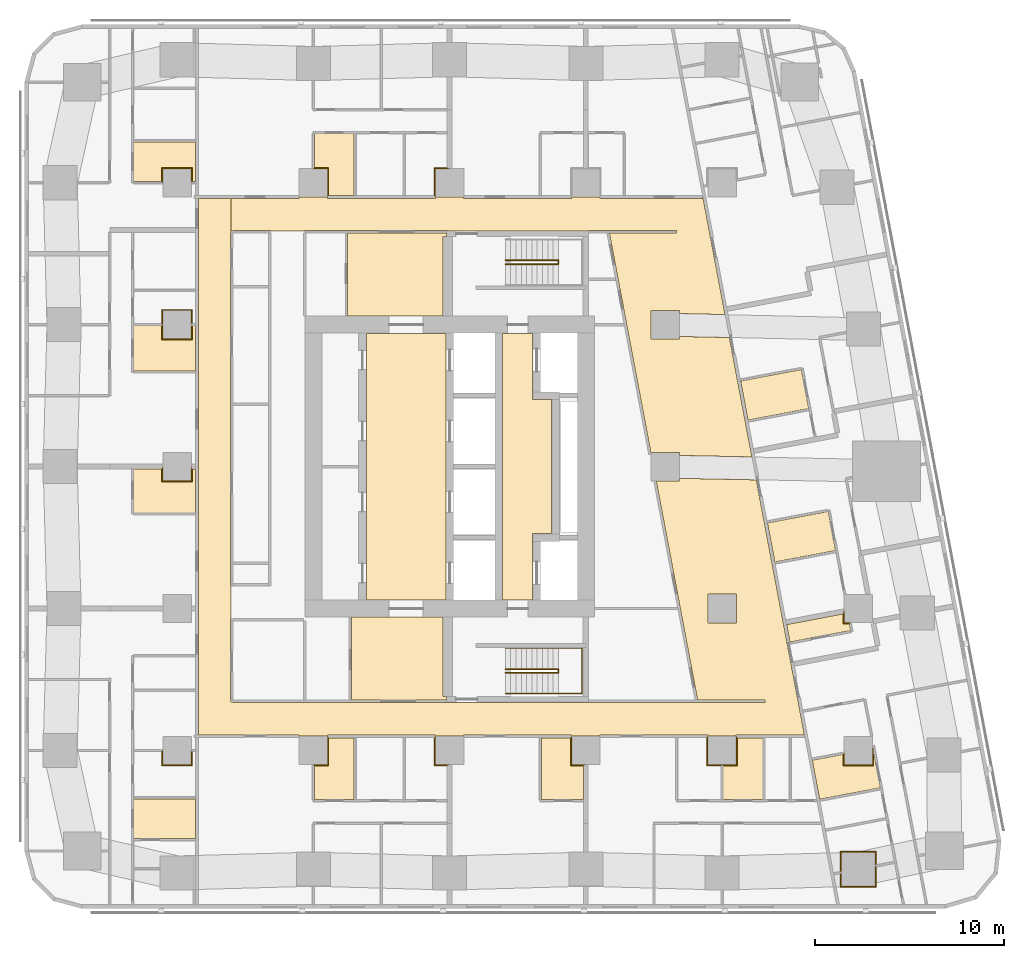
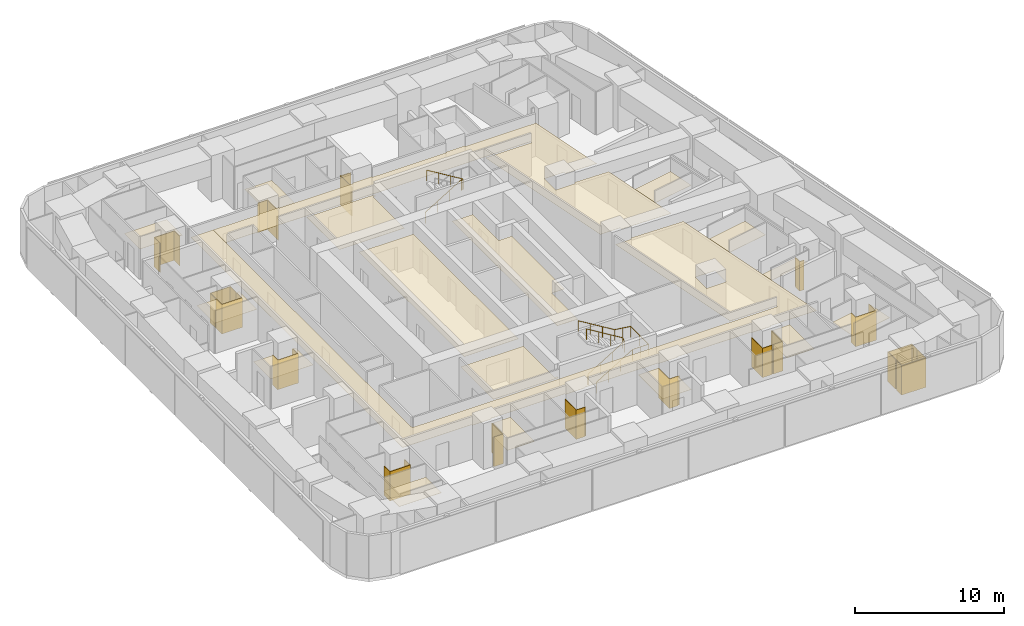
# One storey, part 14 of 15: 34 coverings, 3 railings.
"""IFC4 building model written with IfcOpenShell, lengths in metres."""

from ifc_helpers import new_model, si_unit, direction, frame, origin, origin_2d, place, context, subcontext, project, spatial, polyline, circle, outline, extrude, material, layer, layer_set, type_object, element, save


model = new_model("IFC4")

# Units and contexts
model_context = context("Model", 3, precision=1e-05, world=origin(), true_north=direction((0.0, 1.0)))
body_context = subcontext(model_context, "Body", "Model", "MODEL_VIEW")
ifc_project = project(units=[si_unit("LENGTHUNIT", "METRE"), si_unit("AREAUNIT", "SQUARE_METRE"), si_unit("VOLUMEUNIT", "CUBIC_METRE"), si_unit("PLANEANGLEUNIT", "RADIAN"), si_unit("MASSUNIT", "GRAM", prefix="KILO")], contexts=[model_context])

# Site, building, storey
site_placement = place(None, origin())
site = spatial("IfcSite", under=ifc_project, at=site_placement, CompositionType="ELEMENT")
building_placement = place(site_placement, origin())
building = spatial("IfcBuilding", under=site, at=building_placement, Name="Sheger Commons Tower", CompositionType="ELEMENT")
storey_placement = place(building_placement, frame((0.0, 0.0, 173.300048828125)))
storey = spatial("IfcBuildingStorey", under=building, at=storey_placement, Name="L44", CompositionType="ELEMENT", Elevation=173.300048828125)

# Railings
ifc_material_1 = material(Name="Steel handrail, black powder-coated", Category="steel")
railing_type = type_object("IfcRailingType", Name="HANDRAIL 900", PredefinedType="HANDRAIL", material=ifc_material_1)
railing_1_placement = place(storey_placement, frame((24.550048828125, 11.60009765625, 0.17041015625)))
element("IfcRailing", 1, at=railing_1_placement, inside=storey, type_object=railing_type, Name="Stair S1 handrail L44", PredefinedType="HANDRAIL", context=body_context, shape_type="SweptSolid", body=[
    extrude(circle(Radius=0.02392578125, at=origin_2d()), frame((0.0, 0.0, 0.8759765625), z_axis=(0.854169791009, 0.0, 0.51999420009), x_axis=(0.0, 1.0, 0.0)), (0.0, 0.0, 1.0), 3.278076171875),
    extrude(circle(Radius=0.02392578125, at=origin_2d()), frame((2.800048828125, 0.0, 2.58056640625), z_axis=(0.0, 0.761090297175, 0.648645943136), x_axis=(-1.0, 0.0, 0.0)), (0.0, 0.0, 1.0), 0.2626953125),
    extrude(circle(Radius=0.02392578125, at=origin_2d()), frame((2.800048828125, 0.199951171875, 2.7509765625), z_axis=(-0.854169791009, 0.0, 0.51999420009), x_axis=(0.0, -1.0, 0.0)), (0.0, 0.0, 1.0), 3.278076171875),
    extrude(circle(Radius=0.02099609375, at=origin_2d()), origin(), (0.0, 0.0, 1.0), 0.851806640625),
    extrude(circle(Radius=0.02099609375, at=origin_2d()), frame((0.933349609375, 0.0, 0.568115234375)), (0.0, 0.0, 1.0), 0.851806640625),
    extrude(circle(Radius=0.02099609375, at=origin_2d()), frame((1.86669921875, 0.0, 1.136474609375)), (0.0, 0.0, 1.0), 0.851806640625),
    extrude(circle(Radius=0.02099609375, at=origin_2d()), frame((2.800048828125, 0.0, 1.70458984375)), (0.0, 0.0, 1.0), 0.851806640625),
    extrude(circle(Radius=0.02099609375, at=origin_2d()), frame((2.800048828125, 0.199951171875, 1.875)), (0.0, 0.0, 1.0), 0.851806640625),
    extrude(circle(Radius=0.02099609375, at=origin_2d()), frame((1.86669921875, 0.199951171875, 2.443115234375)), (0.0, 0.0, 1.0), 0.851806640625),
    extrude(circle(Radius=0.02099609375, at=origin_2d()), frame((0.933349609375, 0.199951171875, 3.011474609375)), (0.0, 0.0, 1.0), 0.851806640625),
    extrude(circle(Radius=0.02099609375, at=origin_2d()), frame((0.0, 0.199951171875, 3.57958984375)), (0.0, 0.0, 1.0), 0.851806640625),
])
railing_2_placement = place(storey_placement, frame((24.550048828125, 10.5, 0.17041015625)))
element("IfcRailing", 2, at=railing_2_placement, inside=storey, type_object=railing_type, Name="Stair S1 handrail L44", PredefinedType="HANDRAIL", context=body_context, shape_type="SweptSolid", body=[
    extrude(circle(Radius=0.02392578125, at=origin_2d()), frame((0.0, 0.0, 0.8759765625), z_axis=(0.854169791009, 0.0, 0.51999420009), x_axis=(0.0, 1.0, 0.0)), (0.0, 0.0, 1.0), 3.278076171875),
    extrude(circle(Radius=0.02392578125, at=origin_2d()), frame((2.800048828125, 0.0, 2.58056640625), z_axis=(1.0, 0.0, 0.0), x_axis=(0.0, 1.0, 0.0)), (0.0, 0.0, 1.0), 1.25),
    extrude(circle(Radius=0.02392578125, at=origin_2d()), frame((4.050048828125, 0.0, 2.58056640625), z_axis=(0.0, 1.0, 0.0), x_axis=(-1.0, 0.0, 0.0)), (0.0, 0.0, 1.0), 2.39990234375),
    extrude(circle(Radius=0.02392578125, at=origin_2d()), frame((4.050048828125, 2.39990234375, 2.58056640625), z_axis=(-0.990834877927, 0.0, 0.135078661092), x_axis=(0.0, -1.0, 0.0)), (0.0, 0.0, 1.0), 1.261474609375),
    extrude(circle(Radius=0.02392578125, at=origin_2d()), frame((2.800048828125, 2.39990234375, 2.7509765625), z_axis=(-0.854169791009, 0.0, 0.51999420009), x_axis=(0.0, -1.0, 0.0)), (0.0, 0.0, 1.0), 3.278076171875),
    extrude(circle(Radius=0.02099609375, at=origin_2d()), origin(), (0.0, 0.0, 1.0), 0.851806640625),
    extrude(circle(Radius=0.02099609375, at=origin_2d()), frame((0.933349609375, 0.0, 0.568115234375)), (0.0, 0.0, 1.0), 0.851806640625),
    extrude(circle(Radius=0.02099609375, at=origin_2d()), frame((1.86669921875, 0.0, 1.136474609375)), (0.0, 0.0, 1.0), 0.851806640625),
    extrude(circle(Radius=0.02099609375, at=origin_2d()), frame((2.800048828125, 0.0, 1.70458984375)), (0.0, 0.0, 1.0), 0.851806640625),
    extrude(circle(Radius=0.02099609375, at=origin_2d()), frame((3.425048828125, 0.0, 1.70458984375)), (0.0, 0.0, 1.0), 0.851806640625),
    extrude(circle(Radius=0.02099609375, at=origin_2d()), frame((4.050048828125, 0.0, 1.70458984375)), (0.0, 0.0, 1.0), 0.851806640625),
    extrude(circle(Radius=0.02099609375, at=origin_2d()), frame((4.050048828125, 1.199951171875, 1.70458984375)), (0.0, 0.0, 1.0), 0.851806640625),
    extrude(circle(Radius=0.02099609375, at=origin_2d()), frame((4.050048828125, 2.39990234375, 1.70458984375)), (0.0, 0.0, 1.0), 0.851806640625),
    extrude(circle(Radius=0.02099609375, at=origin_2d()), frame((3.425048828125, 2.39990234375, 1.789794921875)), (0.0, 0.0, 1.0), 0.851806640625),
    extrude(circle(Radius=0.02099609375, at=origin_2d()), frame((2.800048828125, 2.39990234375, 1.875)), (0.0, 0.0, 1.0), 0.851806640625),
    extrude(circle(Radius=0.02099609375, at=origin_2d()), frame((1.86669921875, 2.39990234375, 2.443115234375)), (0.0, 0.0, 1.0), 0.851806640625),
    extrude(circle(Radius=0.02099609375, at=origin_2d()), frame((0.933349609375, 2.39990234375, 3.011474609375)), (0.0, 0.0, 1.0), 0.851806640625),
    extrude(circle(Radius=0.02099609375, at=origin_2d()), frame((0.0, 2.39990234375, 3.57958984375)), (0.0, 0.0, 1.0), 0.851806640625),
])
railing_3_placement = place(storey_placement, frame((24.550048828125, 33.39990234375, 0.17041015625)))
element("IfcRailing", 3, at=railing_3_placement, inside=storey, type_object=railing_type, Name="Stair S2 handrail L44", PredefinedType="HANDRAIL", context=body_context, shape_type="SweptSolid", body=[
    extrude(circle(Radius=0.02392578125, at=origin_2d()), frame((0.0, 0.0, 0.8759765625), z_axis=(0.854169791009, 0.0, 0.51999420009), x_axis=(0.0, 1.0, 0.0)), (0.0, 0.0, 1.0), 3.278076171875),
    extrude(circle(Radius=0.02392578125, at=origin_2d()), frame((2.800048828125, 0.0, 2.58056640625), z_axis=(0.0, -0.761090297175, 0.648645943136), x_axis=(1.0, 0.0, 0.0)), (0.0, 0.0, 1.0), 0.2626953125),
    extrude(circle(Radius=0.02392578125, at=origin_2d()), frame((2.800048828125, -0.199951171875, 2.7509765625), z_axis=(-0.854169791009, 0.0, 0.51999420009), x_axis=(0.0, -1.0, 0.0)), (0.0, 0.0, 1.0), 3.278076171875),
    extrude(circle(Radius=0.02099609375, at=origin_2d()), origin(), (0.0, 0.0, 1.0), 0.851806640625),
    extrude(circle(Radius=0.02099609375, at=origin_2d()), frame((0.933349609375, 0.0, 0.568115234375)), (0.0, 0.0, 1.0), 0.851806640625),
    extrude(circle(Radius=0.02099609375, at=origin_2d()), frame((1.86669921875, 0.0, 1.136474609375)), (0.0, 0.0, 1.0), 0.851806640625),
    extrude(circle(Radius=0.02099609375, at=origin_2d()), frame((2.800048828125, 0.0, 1.70458984375)), (0.0, 0.0, 1.0), 0.851806640625),
    extrude(circle(Radius=0.02099609375, at=origin_2d()), frame((2.800048828125, -0.199951171875, 1.875)), (0.0, 0.0, 1.0), 0.851806640625),
    extrude(circle(Radius=0.02099609375, at=origin_2d()), frame((1.86669921875, -0.199951171875, 2.443115234375)), (0.0, 0.0, 1.0), 0.851806640625),
    extrude(circle(Radius=0.02099609375, at=origin_2d()), frame((0.933349609375, -0.199951171875, 3.011474609375)), (0.0, 0.0, 1.0), 0.851806640625),
    extrude(circle(Radius=0.02099609375, at=origin_2d()), frame((0.0, -0.199951171875, 3.57958984375)), (0.0, 0.0, 1.0), 0.851806640625),
])

# Coverings
ifc_material_2 = material(Name="Moisture-resistant gypsum plasterboard 15 mm on a suspended galvanised steel grid", Category="steel")
ifc_layer_1 = layer(ifc_material_2, 0.014892578125)
ifc_layer_set_1 = layer_set([ifc_layer_1], Name="MOISTURE-RESISTANT CEILING 15")
covering_type_1 = type_object("IfcCoveringType", Name="MOISTURE-RESISTANT CEILING 15", PredefinedType="CEILING", material=ifc_layer_set_1)
covering_1_placement = place(storey_placement, frame((0.0, 0.0, 2.39990234375)))
element("IfcCovering", 4, at=covering_1_placement, inside=storey, type_object=covering_type_1, Name="L44-01.B3 ceiling", PredefinedType="CEILING", context=body_context, shape_type="SweptSolid", body=[
    extrude(outline(polyline([(4.905029296875, 2.843994140625), (8.169921875, 2.843994140625), (8.169921875, 4.944091796875), (4.905029296875, 4.944091796875), (4.905029296875, 2.843994140625)])), origin(), (0.0, 0.0, 1.0), 0.01513671875),
])
covering_2_placement = place(storey_placement, frame((0.0, 0.0, 2.39990234375)))
element("IfcCovering", 5, at=covering_2_placement, inside=storey, type_object=covering_type_1, Name="L44-02.B1 ceiling", PredefinedType="CEILING", context=body_context, shape_type="SweptSolid", body=[
    extrude(outline(polyline([(4.905029296875, 20.053955078125), (8.169921875, 20.053955078125), (8.169921875, 22.3701171875), (7.955078125, 22.3701171875), (7.955078125, 21.7451171875), (6.445068359375, 21.7451171875), (6.445068359375, 22.3701171875), (4.905029296875, 22.3701171875), (4.905029296875, 20.053955078125)])), origin(), (0.0, 0.0, 1.0), 0.01513671875),
])
covering_3_placement = place(storey_placement, frame((0.0, 0.0, 2.39990234375)))
element("IfcCovering", 6, at=covering_3_placement, inside=storey, type_object=covering_type_1, Name="L44-03.B1 ceiling", PredefinedType="CEILING", context=body_context, shape_type="SweptSolid", body=[
    extrude(outline(polyline([(4.905029296875, 27.553955078125), (8.169921875, 27.553955078125), (8.169921875, 29.945068359375), (7.955078125, 29.945068359375), (7.955078125, 29.2451171875), (6.445068359375, 29.2451171875), (6.445068359375, 29.945068359375), (4.905029296875, 29.945068359375), (4.905029296875, 27.553955078125)])), origin(), (0.0, 0.0, 1.0), 0.01513671875),
])
covering_4_placement = place(storey_placement, frame((0.0, 0.0, 2.39990234375)))
element("IfcCovering", 7, at=covering_4_placement, inside=storey, type_object=covering_type_1, Name="L44-04.B1 ceiling", PredefinedType="CEILING", context=body_context, shape_type="SweptSolid", body=[
    extrude(outline(polyline([(4.905029296875, 37.554931640625), (6.445068359375, 37.554931640625), (6.445068359375, 38.2548828125), (7.955078125, 38.2548828125), (7.955078125, 37.554931640625), (8.169921875, 37.554931640625), (8.169921875, 39.655029296875), (4.905029296875, 39.655029296875), (4.905029296875, 37.554931640625)])), origin(), (0.0, 0.0, 1.0), 0.01513671875),
])
covering_5_placement = place(storey_placement, frame((0.0, 0.0, 2.39990234375)))
element("IfcCovering", 8, at=covering_5_placement, inside=storey, type_object=covering_type_1, Name="L44-05.B1 ceiling", PredefinedType="CEILING", context=body_context, shape_type="SweptSolid", body=[
    extrude(outline(polyline([(14.455078125, 4.905029296875), (16.554931640625, 4.905029296875), (16.554931640625, 8.169921875), (15.155029296875, 8.169921875), (15.155029296875, 6.7451171875), (14.455078125, 6.7451171875), (14.455078125, 4.905029296875)])), origin(), (0.0, 0.0, 1.0), 0.01513671875),
])
covering_6_placement = place(storey_placement, frame((0.0, 0.0, 2.39990234375)))
element("IfcCovering", 9, at=covering_6_placement, inside=storey, type_object=covering_type_1, Name="L44-06.B1 ceiling", PredefinedType="CEILING", context=body_context, shape_type="SweptSolid", body=[
    extrude(outline(polyline([(26.4541015625, 4.905029296875), (28.669921875, 4.905029296875), (28.669921875, 6.7451171875), (28.044921875, 6.7451171875), (28.044921875, 8.169921875), (26.4541015625, 8.169921875), (26.4541015625, 4.905029296875)])), origin(), (0.0, 0.0, 1.0), 0.01513671875),
])
covering_7_placement = place(storey_placement, frame((0.0, 0.0, 2.39990234375)))
element("IfcCovering", 10, at=covering_7_placement, inside=storey, type_object=covering_type_1, Name="L44-07.B2 ceiling", PredefinedType="CEILING", context=body_context, shape_type="SweptSolid", body=[
    extrude(outline(polyline([(36.054931640625, 4.905029296875), (38.155029296875, 4.905029296875), (38.155029296875, 8.169921875), (36.7548828125, 8.169921875), (36.7548828125, 6.7451171875), (36.054931640625, 6.7451171875), (36.054931640625, 4.905029296875)])), origin(), (0.0, 0.0, 1.0), 0.01513671875),
])
covering_8_placement = place(storey_placement, frame((0.0, 0.0, 2.39990234375)))
element("IfcCovering", 11, at=covering_8_placement, inside=storey, type_object=covering_type_1, Name="L44-09.B1 ceiling", PredefinedType="CEILING", context=body_context, shape_type="SweptSolid", body=[
    extrude(outline(polyline([(37.37109375, 24.958984375), (40.5791015625, 25.56494140625), (40.18896484375, 27.62890625), (36.98193359375, 27.02294921875), (37.37109375, 24.958984375)])), origin(), (0.0, 0.0, 1.0), 0.01513671875),
])
covering_9_placement = place(storey_placement, frame((0.0, 0.0, 2.39990234375)))
element("IfcCovering", 12, at=covering_9_placement, inside=storey, type_object=covering_type_1, Name="L44-10.B1 ceiling", PredefinedType="CEILING", context=body_context, shape_type="SweptSolid", body=[
    extrude(outline(polyline([(38.7880859375, 17.4599609375), (41.99609375, 18.06494140625), (41.60595703125, 20.12890625), (38.39794921875, 19.52294921875), (38.7880859375, 17.4599609375)])), origin(), (0.0, 0.0, 1.0), 0.01513671875),
])
covering_10_placement = place(storey_placement, frame((0.0, 0.0, 2.39990234375)))
element("IfcCovering", 13, at=covering_10_placement, inside=storey, type_object=covering_type_1, Name="L44-11.B1 ceiling", PredefinedType="CEILING", context=body_context, shape_type="SweptSolid", body=[
    extrude(outline(polyline([(39.5859375, 13.23193359375), (42.794921875, 13.837890625), (42.719970703125, 14.235107421875), (42.762939453125, 14.242919921875), (42.762939453125, 14.2451171875), (42.445068359375, 14.2451171875), (42.445068359375, 14.72509765625), (39.4130859375, 14.152099609375), (39.5859375, 13.23193359375)])), origin(), (0.0, 0.0, 1.0), 0.01513671875),
])
covering_11_placement = place(storey_placement, frame((0.0, 0.0, 2.39990234375)))
element("IfcCovering", 14, at=covering_11_placement, inside=storey, type_object=covering_type_1, Name="L44-12.B1 ceiling", PredefinedType="CEILING", context=body_context, shape_type="SweptSolid", body=[
    extrude(outline(polyline([(41.156005859375, 4.9208984375), (44.364013671875, 5.527099609375), (43.964111328125, 7.64501953125), (43.955078125, 7.64306640625), (43.955078125, 6.7451171875), (42.445068359375, 6.7451171875), (42.445068359375, 7.302001953125), (40.76611328125, 6.985107421875), (41.156005859375, 4.9208984375)])), origin(), (0.0, 0.0, 1.0), 0.01513671875),
])
covering_12_placement = place(storey_placement, frame((0.0, 0.0, 2.39990234375)))
element("IfcCovering", 15, at=covering_12_placement, inside=storey, type_object=covering_type_1, Name="L44-13.B1 ceiling", PredefinedType="CEILING", context=body_context, shape_type="SweptSolid", body=[
    extrude(outline(polyline([(15.155029296875, 36.830078125), (16.554931640625, 36.830078125), (16.554931640625, 40.094970703125), (14.455078125, 40.094970703125), (14.455078125, 38.2548828125), (15.155029296875, 38.2548828125), (15.155029296875, 36.830078125)])), origin(), (0.0, 0.0, 1.0), 0.01513671875),
])
ifc_material_3 = material(Name="Gypsum plasterboard 15 mm on a suspended steel grid", Category="steel")
ifc_layer_2 = layer(ifc_material_3, 0.014892578125)
ifc_layer_set_2 = layer_set([ifc_layer_2], Name="SUSPENDED CEILING 15")
covering_type_2 = type_object("IfcCoveringType", Name="SUSPENDED CEILING 15", PredefinedType="CEILING", material=ifc_layer_set_2)
covering_13_placement = place(storey_placement, frame((0.0, 0.0, 2.699951171875)))
element("IfcCovering", 16, at=covering_13_placement, inside=storey, type_object=covering_type_2, Name="L44-CO ceiling", PredefinedType="CEILING", context=body_context, shape_type="SweptSolid", body=[
    extrude(outline(polyline([(13.654052734375, 8.2548828125), (15.14599609375, 8.2548828125), (15.14599609375, 8.330078125), (20.85400390625, 8.330078125), (20.85400390625, 8.2548828125), (22.345947265625, 8.2548828125), (22.345947265625, 8.330078125), (28.053955078125, 8.330078125), (28.053955078125, 8.2548828125), (29.5458984375, 8.2548828125), (29.5458984375, 8.330078125), (35.25390625, 8.330078125), (35.25390625, 8.2548828125), (36.74609375, 8.2548828125), (36.74609375, 8.330078125), (40.35009765625, 8.330078125), (37.805908203125, 21.798095703125), (33.7548828125, 21.8798828125), (33.7548828125, 21.7451171875), (32.52099609375, 21.7451171875), (34.705078125, 10.181884765625), (34.66796875, 10.175048828125), (34.669921875, 10.16796875), (38.27001953125, 10.16796875), (38.27001953125, 10.031982421875), (28.945068359375, 10.031982421875), (28.945068359375, 10.044921875), (21.455078125, 10.044921875), (21.455078125, 10.031982421875), (10.156982421875, 10.031982421875), (10.156982421875, 10.050048828125), (10.050048828125, 10.050048828125), (10.050048828125, 10.156982421875), (10.031982421875, 10.156982421875), (10.031982421875, 14.455078125), (10.050048828125, 14.455078125), (10.050048828125, 16.195068359375), (10.031982421875, 16.195068359375), (10.031982421875, 34.843017578125), (10.050048828125, 34.843017578125), (10.050048828125, 34.947998046875), (10.048095703125, 34.947998046875), (10.048095703125, 36.669921875), (8.330078125, 36.669921875), (8.330078125, 8.330078125), (13.654052734375, 8.330078125), (13.654052734375, 8.2548828125)]), holes=[polyline([(36.7548828125, 15.7548828125), (36.7548828125, 14.2451171875), (35.2451171875, 14.2451171875), (35.2451171875, 15.7548828125), (36.7548828125, 15.7548828125)])]), origin(), (0.0, 0.0, 1.0), 0.014892578125),
])
covering_14_placement = place(storey_placement, frame((0.0, 0.0, 2.699951171875)))
element("IfcCovering", 17, at=covering_14_placement, inside=storey, type_object=covering_type_2, Name="L44-CO ceiling", PredefinedType="CEILING", context=body_context, shape_type="SweptSolid", body=[
    extrude(outline(polyline([(37.575927734375, 23.011962890625), (36.385009765625, 29.318115234375), (33.7548828125, 29.3779296875), (33.7548828125, 29.2451171875), (32.2451171875, 29.2451171875), (32.2451171875, 30.7548828125), (33.7548828125, 30.7548828125), (33.7548828125, 30.587890625), (36.156005859375, 30.533935546875), (34.98193359375, 36.75), (34.97802734375, 36.75), (34.97802734375, 36.669921875), (33.572998046875, 36.669921875), (33.568115234375, 34.969970703125), (33.568115234375, 36.669921875), (29.5458984375, 36.669921875), (29.5458984375, 36.7451171875), (28.053955078125, 36.7451171875), (28.053955078125, 36.669921875), (22.345947265625, 36.669921875), (22.345947265625, 36.7451171875), (20.85400390625, 36.7451171875), (20.85400390625, 36.669921875), (15.14599609375, 36.669921875), (15.14599609375, 36.7451171875), (13.654052734375, 36.7451171875), (13.654052734375, 36.669921875), (10.052978515625, 36.669921875), (10.052978515625, 34.949951171875), (10.156982421875, 34.949951171875), (10.156982421875, 34.968017578125), (12.155029296875, 34.968017578125), (12.155029296875, 34.949951171875), (13.945068359375, 34.949951171875), (13.945068359375, 34.968017578125), (21.455078125, 34.968017578125), (21.455078125, 34.949951171875), (28.945068359375, 34.949951171875), (28.945068359375, 34.968017578125), (33.568115234375, 34.968017578125), (33.5849609375, 34.968017578125), (33.5849609375, 34.83203125), (30.048095703125, 34.83203125), (32.242919921875, 23.214111328125), (32.2451171875, 23.214111328125), (32.2451171875, 23.2548828125), (33.7548828125, 23.2548828125), (33.7548828125, 23.090087890625), (37.575927734375, 23.011962890625)])), origin(), (0.0, 0.0, 1.0), 0.014892578125),
])
covering_15_placement = place(storey_placement, frame((0.0, 0.0, 2.699951171875)))
element("IfcCovering", 18, at=covering_15_placement, inside=storey, type_object=covering_type_2, Name="L44-SVS1 ceiling", PredefinedType="CEILING", context=body_context, shape_type="SweptSolid", body=[
    extrude(outline(polyline([(16.406982421875, 10.16796875), (21.445068359375, 10.16796875), (21.445068359375, 10.344970703125), (21.2451171875, 10.344970703125), (21.2451171875, 14.544921875), (16.406982421875, 14.544921875), (16.406982421875, 10.16796875)])), origin(), (0.0, 0.0, 1.0), 0.014892578125),
])
covering_16_placement = place(storey_placement, frame((0.0, 0.0, 2.699951171875)))
element("IfcCovering", 19, at=covering_16_placement, inside=storey, type_object=covering_type_2, Name="L44-SVN1 ceiling", PredefinedType="CEILING", context=body_context, shape_type="SweptSolid", body=[
    extrude(outline(polyline([(16.217041015625, 30.455078125), (21.2451171875, 30.455078125), (21.2451171875, 34.655029296875), (21.445068359375, 34.655029296875), (21.445068359375, 34.83203125), (16.217041015625, 34.83203125), (16.217041015625, 30.455078125)])), origin(), (0.0, 0.0, 1.0), 0.014892578125),
])
covering_17_placement = place(storey_placement, frame((0.0, 0.0, 2.699951171875)))
element("IfcCovering", 20, at=covering_17_placement, inside=storey, type_object=covering_type_2, Name="L44-LL ceiling", PredefinedType="CEILING", context=body_context, shape_type="SweptSolid", body=[
    extrude(outline(polyline([(17.205078125, 15.455078125), (21.39990234375, 15.455078125), (21.39990234375, 29.544921875), (17.205078125, 29.544921875), (17.205078125, 15.455078125)])), origin(), (0.0, 0.0, 1.0), 0.014892578125),
])
covering_18_placement = place(storey_placement, frame((0.0, 0.0, 2.699951171875)))
element("IfcCovering", 21, at=covering_18_placement, inside=storey, type_object=covering_type_2, Name="L44-FL ceiling", PredefinedType="CEILING", context=body_context, shape_type="SweptSolid", body=[
    extrude(outline(polyline([(24.405029296875, 15.455078125), (25.9951171875, 15.455078125), (25.9951171875, 18.955078125), (26.9951171875, 18.955078125), (26.9951171875, 26.044921875), (25.9951171875, 26.044921875), (25.9951171875, 29.544921875), (24.405029296875, 29.544921875), (24.405029296875, 15.455078125)])), origin(), (0.0, 0.0, 1.0), 0.014892578125),
])
ifc_material_4 = material(Name="Moisture-resistant gypsum board 12.5 mm on 25 mm treated timber battens, tanked and tiled", Category="wood")
ifc_layer_3 = layer(ifc_material_4, 0.050048828125)
ifc_layer_set_3 = layer_set([ifc_layer_3], Name="WET-ROOM COLUMN LINING")
covering_type_3 = type_object("IfcCoveringType", Name="WET-ROOM COLUMN LINING", PredefinedType="CLADDING", material=ifc_layer_set_3)
covering_19_placement = place(storey_placement, origin())
element("IfcCovering", 22, at=covering_19_placement, inside=storey, type_object=covering_type_3, Name="Laundry room column lining C8 L44", PredefinedType="CLADDING", context=body_context, shape_type="SweptSolid", body=[
    extrude(outline(polyline([(44.14990234375, 2.175048828125), (44.14990234375, 1.455078125), (44.10107421875, 1.446044921875), (44.110107421875, 1.39697265625), (44.10009765625, 1.39501953125), (44.10009765625, 2.125), (42.300048828125, 2.125), (42.300048828125, 1.054931640625), (42.2900390625, 1.052978515625), (42.281005859375, 1.10205078125), (42.25, 1.095947265625), (42.25, 2.175048828125), (44.14990234375, 2.175048828125)])), origin(), (0.0, 0.0, 1.0), 2.39990234375),
])
covering_20_placement = place(storey_placement, origin())
element("IfcCovering", 23, at=covering_20_placement, inside=storey, type_object=covering_type_3, Name="Laundry room column lining C8 L44", PredefinedType="CLADDING", context=body_context, shape_type="SweptSolid", body=[
    extrude(outline(polyline([(42.300048828125, 1.054931640625), (42.300048828125, 0.324951171875), (44.10009765625, 0.324951171875), (44.10009765625, 1.39501953125), (44.110107421875, 1.39697265625), (44.118896484375, 1.347900390625), (44.14990234375, 1.35400390625), (44.14990234375, 0.27490234375), (42.25, 0.27490234375), (42.25, 0.9951171875), (42.299072265625, 1.00390625), (42.2900390625, 1.052978515625), (42.300048828125, 1.054931640625)])), origin(), (0.0, 0.0, 1.0), 2.39990234375),
])
covering_21_placement = place(storey_placement, origin())
element("IfcCovering", 24, at=covering_21_placement, inside=storey, type_object=covering_type_3, Name="Laundry room column lining C10 L44", PredefinedType="CLADDING", context=body_context, shape_type="SweptSolid", body=[
    extrude(outline(polyline([(6.449951171875, 7.5), (6.449951171875, 6.75), (7.949951171875, 6.75), (7.949951171875, 7.5), (7.950927734375, 7.5), (7.950927734375, 7.449951171875), (8.0, 7.449951171875), (8.0, 6.699951171875), (6.39990234375, 6.699951171875), (6.39990234375, 7.449951171875), (6.448974609375, 7.449951171875), (6.448974609375, 7.5), (6.449951171875, 7.5)])), origin(), (0.0, 0.0, 1.0), 2.39990234375),
])
covering_22_placement = place(storey_placement, origin())
element("IfcCovering", 25, at=covering_22_placement, inside=storey, type_object=covering_type_3, Name="Bathroom column lining C10 L44", PredefinedType="CLADDING", context=body_context, shape_type="SweptSolid", body=[
    extrude(outline(polyline([(14.449951171875, 6.699951171875), (14.449951171875, 6.7490234375), (14.39990234375, 6.7490234375), (14.39990234375, 6.75), (15.14990234375, 6.75), (15.14990234375, 8.25), (15.15087890625, 8.25), (15.15087890625, 8.175048828125), (15.199951171875, 8.175048828125), (15.199951171875, 6.699951171875), (14.449951171875, 6.699951171875)])), origin(), (0.0, 0.0, 1.0), 2.39990234375),
])
covering_23_placement = place(storey_placement, origin())
element("IfcCovering", 26, at=covering_23_placement, inside=storey, type_object=covering_type_3, Name="Laundry room column lining C10 L44", PredefinedType="CLADDING", context=body_context, shape_type="SweptSolid", body=[
    extrude(outline(polyline([(20.85009765625, 8.25), (20.85009765625, 6.75), (21.60009765625, 6.75), (21.60009765625, 6.7490234375), (21.47509765625, 6.7490234375), (21.47509765625, 6.699951171875), (20.800048828125, 6.699951171875), (20.800048828125, 8.175048828125), (20.84912109375, 8.175048828125), (20.84912109375, 8.25), (20.85009765625, 8.25)])), origin(), (0.0, 0.0, 1.0), 2.39990234375),
])
covering_24_placement = place(storey_placement, origin())
element("IfcCovering", 27, at=covering_24_placement, inside=storey, type_object=covering_type_3, Name="Bathroom column lining C10 L44", PredefinedType="CLADDING", context=body_context, shape_type="SweptSolid", body=[
    extrude(outline(polyline([(28.050048828125, 8.25), (28.050048828125, 6.75), (28.800048828125, 6.75), (28.800048828125, 6.7490234375), (28.675048828125, 6.7490234375), (28.675048828125, 6.699951171875), (28.0, 6.699951171875), (28.0, 8.175048828125), (28.049072265625, 8.175048828125), (28.049072265625, 8.25), (28.050048828125, 8.25)])), origin(), (0.0, 0.0, 1.0), 2.39990234375),
])
covering_25_placement = place(storey_placement, origin())
element("IfcCovering", 28, at=covering_25_placement, inside=storey, type_object=covering_type_3, Name="Laundry room column lining C10 L44", PredefinedType="CLADDING", context=body_context, shape_type="SweptSolid", body=[
    extrude(outline(polyline([(35.25, 8.25), (35.25, 6.75), (36.0, 6.75), (36.0, 6.7490234375), (35.949951171875, 6.7490234375), (35.949951171875, 6.699951171875), (35.199951171875, 6.699951171875), (35.199951171875, 8.175048828125), (35.2490234375, 8.175048828125), (35.2490234375, 8.25), (35.25, 8.25)])), origin(), (0.0, 0.0, 1.0), 2.39990234375),
])
covering_26_placement = place(storey_placement, origin())
element("IfcCovering", 29, at=covering_26_placement, inside=storey, type_object=covering_type_3, Name="Bathroom column lining C10 L44", PredefinedType="CLADDING", context=body_context, shape_type="SweptSolid", body=[
    extrude(outline(polyline([(36.050048828125, 6.699951171875), (36.050048828125, 6.7490234375), (36.0, 6.7490234375), (36.0, 6.75), (36.75, 6.75), (36.75, 8.25), (36.7509765625, 8.25), (36.7509765625, 8.175048828125), (36.800048828125, 8.175048828125), (36.800048828125, 6.699951171875), (36.050048828125, 6.699951171875)])), origin(), (0.0, 0.0, 1.0), 2.39990234375),
])
covering_27_placement = place(storey_placement, origin())
element("IfcCovering", 30, at=covering_27_placement, inside=storey, type_object=covering_type_3, Name="Bathroom column lining C10 L44", PredefinedType="CLADDING", context=body_context, shape_type="SweptSolid", body=[
    extrude(outline(polyline([(42.449951171875, 7.35888671875), (42.449951171875, 6.75), (43.949951171875, 6.75), (43.949951171875, 7.64208984375), (43.968994140625, 7.64599609375), (44.0, 7.47998046875), (44.0, 6.699951171875), (42.39990234375, 6.699951171875), (42.39990234375, 7.299072265625), (42.448974609375, 7.30810546875), (42.43994140625, 7.35693359375), (42.449951171875, 7.35888671875)])), origin(), (0.0, 0.0, 1.0), 2.39990234375),
])
covering_28_placement = place(storey_placement, origin())
element("IfcCovering", 31, at=covering_28_placement, inside=storey, type_object=covering_type_3, Name="Shower room column lining C10 L44", PredefinedType="CLADDING", context=body_context, shape_type="SweptSolid", body=[
    extrude(outline(polyline([(42.449951171875, 14.85791015625), (42.449951171875, 14.25), (42.77294921875, 14.25), (42.77490234375, 14.239990234375), (42.72607421875, 14.23095703125), (42.73193359375, 14.199951171875), (42.39990234375, 14.199951171875), (42.39990234375, 14.721923828125), (42.448974609375, 14.73095703125), (42.426025390625, 14.85302734375), (42.449951171875, 14.85791015625)])), origin(), (0.0, 0.0, 1.0), 2.39990234375),
])
covering_29_placement = place(storey_placement, origin())
element("IfcCovering", 32, at=covering_29_placement, inside=storey, type_object=covering_type_3, Name="Bathroom column lining C10 L44", PredefinedType="CLADDING", context=body_context, shape_type="SweptSolid", body=[
    extrude(outline(polyline([(6.449951171875, 22.5), (6.449951171875, 21.75), (7.949951171875, 21.75), (7.949951171875, 22.5), (7.950927734375, 22.5), (7.950927734375, 22.375), (8.0, 22.375), (8.0, 21.699951171875), (6.39990234375, 21.699951171875), (6.39990234375, 22.375), (6.448974609375, 22.375), (6.448974609375, 22.5), (6.449951171875, 22.5)])), origin(), (0.0, 0.0, 1.0), 2.39990234375),
])
covering_30_placement = place(storey_placement, origin())
element("IfcCovering", 33, at=covering_30_placement, inside=storey, type_object=covering_type_3, Name="Bathroom column lining C10 L44", PredefinedType="CLADDING", context=body_context, shape_type="SweptSolid", body=[
    extrude(outline(polyline([(6.449951171875, 30.0), (6.449951171875, 29.25), (7.949951171875, 29.25), (7.949951171875, 30.0), (7.950927734375, 30.0), (7.950927734375, 29.949951171875), (8.0, 29.949951171875), (8.0, 29.199951171875), (6.39990234375, 29.199951171875), (6.39990234375, 29.949951171875), (6.448974609375, 29.949951171875), (6.448974609375, 30.0), (6.449951171875, 30.0)])), origin(), (0.0, 0.0, 1.0), 2.39990234375),
])
covering_31_placement = place(storey_placement, origin())
element("IfcCovering", 34, at=covering_31_placement, inside=storey, type_object=covering_type_3, Name="Laundry room column lining C10 L44", PredefinedType="CLADDING", context=body_context, shape_type="SweptSolid", body=[
    extrude(outline(polyline([(8.0, 30.800048828125), (8.0, 30.050048828125), (7.950927734375, 30.050048828125), (7.950927734375, 30.0), (7.949951171875, 30.0), (7.949951171875, 30.75), (6.449951171875, 30.75), (6.449951171875, 30.0), (6.448974609375, 30.0), (6.448974609375, 30.050048828125), (6.39990234375, 30.050048828125), (6.39990234375, 30.800048828125), (8.0, 30.800048828125)])), origin(), (0.0, 0.0, 1.0), 2.39990234375),
])
covering_32_placement = place(storey_placement, origin())
element("IfcCovering", 35, at=covering_32_placement, inside=storey, type_object=covering_type_3, Name="Bathroom column lining C10 L44", PredefinedType="CLADDING", context=body_context, shape_type="SweptSolid", body=[
    extrude(outline(polyline([(8.0, 38.300048828125), (8.0, 37.550048828125), (7.950927734375, 37.550048828125), (7.950927734375, 37.5), (7.949951171875, 37.5), (7.949951171875, 38.25), (6.449951171875, 38.25), (6.449951171875, 37.5), (6.448974609375, 37.5), (6.448974609375, 37.550048828125), (6.39990234375, 37.550048828125), (6.39990234375, 38.300048828125), (8.0, 38.300048828125)])), origin(), (0.0, 0.0, 1.0), 2.39990234375),
])
covering_33_placement = place(storey_placement, origin())
element("IfcCovering", 36, at=covering_33_placement, inside=storey, type_object=covering_type_3, Name="Bathroom column lining C10 L44", PredefinedType="CLADDING", context=body_context, shape_type="SweptSolid", body=[
    extrude(outline(polyline([(15.199951171875, 36.824951171875), (15.15087890625, 36.824951171875), (15.15087890625, 36.75), (15.14990234375, 36.75), (15.14990234375, 38.25), (14.39990234375, 38.25), (14.39990234375, 38.2509765625), (14.449951171875, 38.2509765625), (14.449951171875, 38.300048828125), (15.199951171875, 38.300048828125), (15.199951171875, 36.824951171875)])), origin(), (0.0, 0.0, 1.0), 2.39990234375),
])
covering_34_placement = place(storey_placement, origin())
element("IfcCovering", 37, at=covering_34_placement, inside=storey, type_object=covering_type_3, Name="Laundry room column lining C10 L44", PredefinedType="CLADDING", context=body_context, shape_type="SweptSolid", body=[
    extrude(outline(polyline([(21.47509765625, 38.300048828125), (21.47509765625, 38.2509765625), (21.60009765625, 38.2509765625), (21.60009765625, 38.25), (20.85009765625, 38.25), (20.85009765625, 36.75), (20.84912109375, 36.75), (20.84912109375, 36.824951171875), (20.800048828125, 36.824951171875), (20.800048828125, 38.300048828125), (21.47509765625, 38.300048828125)])), origin(), (0.0, 0.0, 1.0), 2.39990234375),
])

save(model, "model.ifc")
